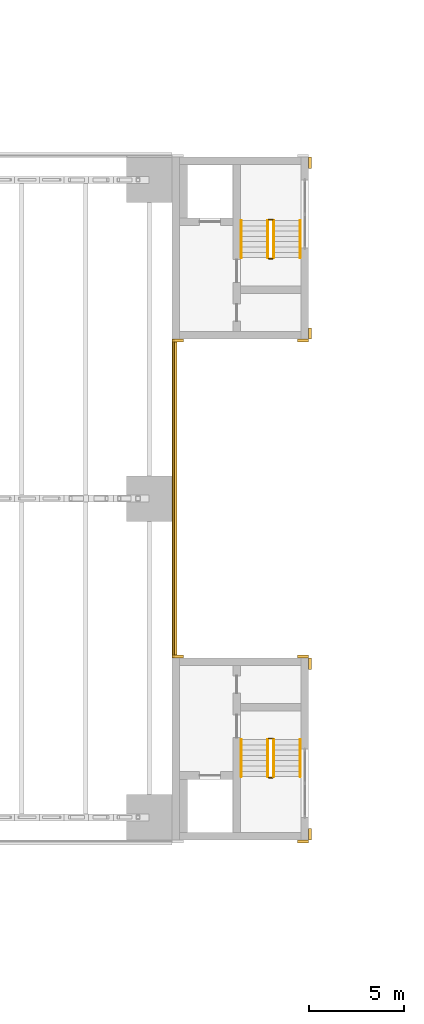
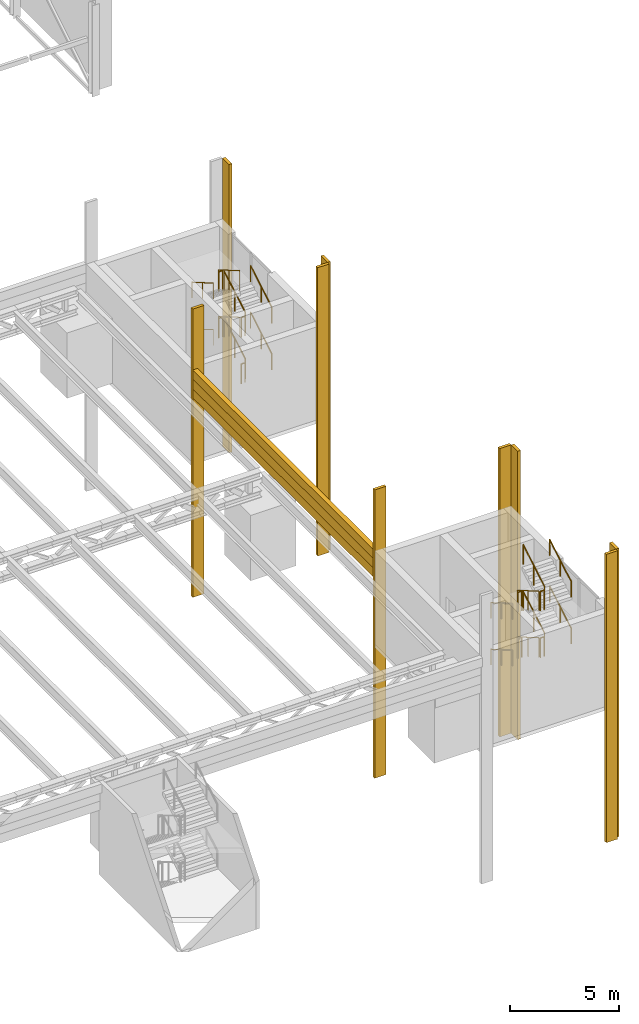
# One storey, part 90 of 93: 24 railings, 12 coverings.
"""IFC4 building model written with IfcOpenShell, lengths in metres."""

from ifc_helpers import new_model, si_unit, direction, frame, origin, origin_2d, place, context, subcontext, project, spatial, rectangle, circle, extrude, material, layer, layer_set, type_object, element, save


model = new_model("IFC4")

# Units and contexts
model_context = context("Model", 3, precision=1e-05, world=origin(), true_north=direction((0.0, 1.0)))
body_context = subcontext(model_context, "Body", "Model", "MODEL_VIEW")
ifc_project = project(units=[si_unit("LENGTHUNIT", "METRE"), si_unit("AREAUNIT", "SQUARE_METRE"), si_unit("VOLUMEUNIT", "CUBIC_METRE"), si_unit("PLANEANGLEUNIT", "RADIAN"), si_unit("MASSUNIT", "GRAM", prefix="KILO")], contexts=[model_context])

# Site, building, storey
site_placement = place(None, origin())
site = spatial("IfcSite", under=ifc_project, at=site_placement, CompositionType="ELEMENT")
building_placement = place(site_placement, origin())
building = spatial("IfcBuilding", under=site, at=building_placement, Name="Verrick Yard Athletic Hall", CompositionType="ELEMENT")
storey_placement = place(building_placement, frame((0.0, 0.0, 8.800048828125)))
storey = spatial("IfcBuildingStorey", under=building, at=storey_placement, Name="L02", CompositionType="ELEMENT", Elevation=8.800048828125)

# Coverings
ifc_material_1 = material(Name="Limestone cladding", Category="masonry")
ifc_layer_1 = layer(ifc_material_1, 0.25)
ifc_layer_set_1 = layer_set([ifc_layer_1], Name="Cornice")
covering_type_1 = type_object("IfcCoveringType", Name="Cornice", PredefinedType="MOLDING", material=ifc_layer_set_1)
covering_1_placement = place(storey_placement, frame((158.925048828125, 36.0, 4.699951171875), z_axis=(0.0, 0.0, 1.0), x_axis=(1.0, 0.0, 0.0)))
element("IfcCovering", 1, at=covering_1_placement, inside=storey, type_object=covering_type_1, Name="Cornice E", PredefinedType="MOLDING", context=body_context, shape_type="SweptSolid", body=[
    extrude(rectangle(XDim=0.25, YDim=16.800048828125, at=origin_2d()), origin(), (0.0, 0.0, 1.0), 0.5),
])
ifc_layer_2 = layer(ifc_material_1, 0.10009765625)
ifc_layer_set_2 = layer_set([ifc_layer_2], Name="Entablature band")
covering_type_2 = type_object("IfcCoveringType", Name="Entablature band", PredefinedType="CLADDING", material=ifc_layer_set_2)
covering_2_placement = place(storey_placement, frame((158.85009765625, 36.0, 3.64990234375), z_axis=(0.0, 0.0, 1.0), x_axis=(1.0, 0.0, 0.0)))
element("IfcCovering", 2, at=covering_2_placement, inside=storey, type_object=covering_type_2, Name="Architrave E", PredefinedType="CLADDING", context=body_context, shape_type="SweptSolid", body=[
    extrude(rectangle(XDim=0.10009765625, YDim=16.800048828125, at=origin_2d()), origin(), (0.0, 0.0, 1.0), 0.5),
])
covering_3_placement = place(storey_placement, frame((158.85009765625, 36.0, 4.14990234375), z_axis=(0.0, 0.0, 1.0), x_axis=(1.0, 0.0, 0.0)))
element("IfcCovering", 3, at=covering_3_placement, inside=storey, type_object=covering_type_2, Name="Frieze E", PredefinedType="CLADDING", context=body_context, shape_type="SweptSolid", body=[
    extrude(rectangle(XDim=0.10009765625, YDim=16.800048828125, at=origin_2d()), origin(), (0.0, 0.0, 1.0), 0.550048828125),
])

# Railings
ifc_material_2 = material(Name="Stainless steel", Category="steel")
railing_type_1 = type_object("IfcRailingType", Name="Stair and core guard 1100", PredefinedType="GUARDRAIL", material=ifc_material_2)
railing_1_placement = place(storey_placement, frame((163.85009765625, 23.300048828125, 0.162353515625)))
element("IfcRailing", 4, at=railing_1_placement, inside=storey, type_object=railing_type_1, Name="L02 Plinth south-east stair guard 1", PredefinedType="GUARDRAIL", context=body_context, shape_type="SweptSolid", body=[
    extrude(circle(Radius=0.02392578125, at=origin_2d()), frame((0.0, 0.0, 1.076171875), z_axis=(0.0, -0.864855337533, 0.502021160053), x_axis=(1.0, 0.0, 0.0)), (0.0, 0.0, 1.0), 2.26611328125),
    extrude(circle(Radius=0.02099609375, at=origin_2d()), origin(), (0.0, 0.0, 1.0), 1.052001953125),
    extrude(circle(Radius=0.02099609375, at=origin_2d()), frame((0.0, -0.97998046875, 0.56884765625)), (0.0, 0.0, 1.0), 1.052001953125),
    extrude(circle(Radius=0.02099609375, at=origin_2d()), frame((0.0, -1.9599609375, 1.1376953125)), (0.0, 0.0, 1.0), 1.052001953125),
])
railing_2_placement = place(storey_placement, frame((163.89990234375, 21.2900390625, 1.300048828125)))
element("IfcRailing", 5, at=railing_2_placement, inside=storey, type_object=railing_type_1, Name="L02 Plinth south-east stair guard 2", PredefinedType="GUARDRAIL", context=body_context, shape_type="SweptSolid", body=[
    extrude(circle(Radius=0.02392578125, at=origin_2d()), frame((0.0, 0.0, 1.076171875), z_axis=(1.0, 0.0, 0.0), x_axis=(0.0, 1.0, 0.0)), (0.0, 0.0, 1.0), 0.2001953125),
    extrude(circle(Radius=0.02099609375, at=origin_2d()), origin(), (0.0, 0.0, 1.0), 1.052001953125),
    extrude(circle(Radius=0.02099609375, at=origin_2d()), frame((0.2001953125, 0.0, 0.0)), (0.0, 0.0, 1.0), 1.052001953125),
])
railing_3_placement = place(storey_placement, frame((164.14990234375, 21.340087890625, 1.46240234375)))
element("IfcRailing", 6, at=railing_3_placement, inside=storey, type_object=railing_type_1, Name="L02 Plinth south-east stair guard 3", PredefinedType="GUARDRAIL", context=body_context, shape_type="SweptSolid", body=[
    extrude(circle(Radius=0.02392578125, at=origin_2d()), frame((0.0, 0.0, 1.076171875), z_axis=(0.0, 0.864902109995, 0.501940574298), x_axis=(-1.0, 0.0, 0.0)), (0.0, 0.0, 1.0), 2.26611328125),
    extrude(circle(Radius=0.02099609375, at=origin_2d()), origin(), (0.0, 0.0, 1.0), 1.052001953125),
    extrude(circle(Radius=0.02099609375, at=origin_2d()), frame((0.0, 0.97998046875, 0.56884765625)), (0.0, 0.0, 1.0), 1.052001953125),
    extrude(circle(Radius=0.02099609375, at=origin_2d()), frame((0.0, 1.9599609375, 1.137451171875)), (0.0, 0.0, 1.0), 1.052001953125),
])
railing_4_placement = place(storey_placement, frame((163.89990234375, 23.35009765625, 2.599853515625)))
element("IfcRailing", 7, at=railing_4_placement, inside=storey, type_object=railing_type_1, Name="L02 Plinth south-east stair guard 4", PredefinedType="GUARDRAIL", context=body_context, shape_type="SweptSolid", body=[
    extrude(circle(Radius=0.02392578125, at=origin_2d()), frame((0.0, 0.0, 1.076171875), z_axis=(1.0, 0.0, 0.0), x_axis=(0.0, 1.0, 0.0)), (0.0, 0.0, 1.0), 0.2001953125),
    extrude(circle(Radius=0.02099609375, at=origin_2d()), origin(), (0.0, 0.0, 1.0), 1.052001953125),
    extrude(circle(Radius=0.02099609375, at=origin_2d()), frame((0.2001953125, 0.0, 0.0)), (0.0, 0.0, 1.0), 1.052001953125),
])
railing_5_placement = place(storey_placement, frame((163.85009765625, 23.300048828125, 2.762451171875)))
element("IfcRailing", 8, at=railing_5_placement, inside=storey, type_object=railing_type_1, Name="L02 Plinth south-east stair guard 5", PredefinedType="GUARDRAIL", context=body_context, shape_type="SweptSolid", body=[
    extrude(circle(Radius=0.02392578125, at=origin_2d()), frame((0.0, 0.0, 1.076171875), z_axis=(0.0, -0.864902109995, 0.501940574298), x_axis=(1.0, 0.0, 0.0)), (0.0, 0.0, 1.0), 2.26611328125),
    extrude(circle(Radius=0.02099609375, at=origin_2d()), origin(), (0.0, 0.0, 1.0), 1.052001953125),
    extrude(circle(Radius=0.02099609375, at=origin_2d()), frame((0.0, -0.97998046875, 0.56884765625)), (0.0, 0.0, 1.0), 1.052001953125),
    extrude(circle(Radius=0.02099609375, at=origin_2d()), frame((0.0, -1.9599609375, 1.137451171875)), (0.0, 0.0, 1.0), 1.052001953125),
])
railing_6_placement = place(storey_placement, frame((163.89990234375, 21.2900390625, 3.89990234375)))
element("IfcRailing", 9, at=railing_6_placement, inside=storey, type_object=railing_type_1, Name="L02 Plinth south-east stair guard 6", PredefinedType="GUARDRAIL", context=body_context, shape_type="SweptSolid", body=[
    extrude(circle(Radius=0.02392578125, at=origin_2d()), frame((0.0, 0.0, 1.076171875), z_axis=(1.0, 0.0, 0.0), x_axis=(0.0, 1.0, 0.0)), (0.0, 0.0, 1.0), 0.2001953125),
    extrude(circle(Radius=0.02099609375, at=origin_2d()), origin(), (0.0, 0.0, 1.0), 1.052001953125),
    extrude(circle(Radius=0.02099609375, at=origin_2d()), frame((0.2001953125, 0.0, 0.0)), (0.0, 0.0, 1.0), 1.052001953125),
])
railing_7_placement = place(storey_placement, frame((164.14990234375, 21.340087890625, 4.0625)))
element("IfcRailing", 10, at=railing_7_placement, inside=storey, type_object=railing_type_1, Name="L02 Plinth south-east stair guard 7", PredefinedType="GUARDRAIL", context=body_context, shape_type="SweptSolid", body=[
    extrude(circle(Radius=0.02392578125, at=origin_2d()), frame((0.0, 0.0, 1.076171875), z_axis=(0.0, 0.864902109995, 0.501940574298), x_axis=(-1.0, 0.0, 0.0)), (0.0, 0.0, 1.0), 2.26611328125),
    extrude(circle(Radius=0.02099609375, at=origin_2d()), origin(), (0.0, 0.0, 1.0), 1.052001953125),
    extrude(circle(Radius=0.02099609375, at=origin_2d()), frame((0.0, 0.97998046875, 0.56884765625)), (0.0, 0.0, 1.0), 1.052001953125),
    extrude(circle(Radius=0.02099609375, at=origin_2d()), frame((0.0, 1.9599609375, 1.137451171875)), (0.0, 0.0, 1.0), 1.052001953125),
])
railing_8_placement = place(storey_placement, frame((163.89990234375, 23.35009765625, 0.0)))
element("IfcRailing", 11, at=railing_8_placement, inside=storey, type_object=railing_type_1, Name="L02 Plinth south-east stair guard 8", PredefinedType="GUARDRAIL", context=body_context, shape_type="SweptSolid", body=[
    extrude(circle(Radius=0.02392578125, at=origin_2d()), frame((0.0, 0.0, 1.076171875), z_axis=(1.0, 0.0, 0.0), x_axis=(0.0, 1.0, 0.0)), (0.0, 0.0, 1.0), 0.2001953125),
    extrude(circle(Radius=0.02099609375, at=origin_2d()), origin(), (0.0, 0.0, 1.0), 1.052001953125),
    extrude(circle(Radius=0.02099609375, at=origin_2d()), frame((0.2001953125, 0.0, 0.0)), (0.0, 0.0, 1.0), 1.052001953125),
])
railing_9_placement = place(storey_placement, frame((164.14990234375, 48.699951171875, 0.162353515625)))
element("IfcRailing", 12, at=railing_9_placement, inside=storey, type_object=railing_type_1, Name="L02 Plinth north-east stair guard 1", PredefinedType="GUARDRAIL", context=body_context, shape_type="SweptSolid", body=[
    extrude(circle(Radius=0.02392578125, at=origin_2d()), frame((0.0, 0.0, 1.076171875), z_axis=(0.0, 0.864855337533, 0.502021160053), x_axis=(-1.0, 0.0, 0.0)), (0.0, 0.0, 1.0), 2.26611328125),
    extrude(circle(Radius=0.02099609375, at=origin_2d()), origin(), (0.0, 0.0, 1.0), 1.052001953125),
    extrude(circle(Radius=0.02099609375, at=origin_2d()), frame((0.0, 0.97998046875, 0.56884765625)), (0.0, 0.0, 1.0), 1.052001953125),
    extrude(circle(Radius=0.02099609375, at=origin_2d()), frame((0.0, 1.9599609375, 1.1376953125)), (0.0, 0.0, 1.0), 1.052001953125),
])
railing_10_placement = place(storey_placement, frame((164.10009765625, 50.7099609375, 1.300048828125)))
element("IfcRailing", 13, at=railing_10_placement, inside=storey, type_object=railing_type_1, Name="L02 Plinth north-east stair guard 2", PredefinedType="GUARDRAIL", context=body_context, shape_type="SweptSolid", body=[
    extrude(circle(Radius=0.02392578125, at=origin_2d()), frame((0.0, 0.0, 1.076171875), z_axis=(-1.0, 0.0, 0.0), x_axis=(0.0, -1.0, 0.0)), (0.0, 0.0, 1.0), 0.2001953125),
    extrude(circle(Radius=0.02099609375, at=origin_2d()), origin(), (0.0, 0.0, 1.0), 1.052001953125),
    extrude(circle(Radius=0.02099609375, at=origin_2d()), frame((-0.2001953125, 0.0, 0.0)), (0.0, 0.0, 1.0), 1.052001953125),
])
railing_11_placement = place(storey_placement, frame((163.85009765625, 50.659912109375, 1.46240234375)))
element("IfcRailing", 14, at=railing_11_placement, inside=storey, type_object=railing_type_1, Name="L02 Plinth north-east stair guard 3", PredefinedType="GUARDRAIL", context=body_context, shape_type="SweptSolid", body=[
    extrude(circle(Radius=0.02392578125, at=origin_2d()), frame((0.0, 0.0, 1.076171875), z_axis=(0.0, -0.864902109995, 0.501940574298), x_axis=(1.0, 0.0, 0.0)), (0.0, 0.0, 1.0), 2.26611328125),
    extrude(circle(Radius=0.02099609375, at=origin_2d()), origin(), (0.0, 0.0, 1.0), 1.052001953125),
    extrude(circle(Radius=0.02099609375, at=origin_2d()), frame((0.0, -0.97998046875, 0.56884765625)), (0.0, 0.0, 1.0), 1.052001953125),
    extrude(circle(Radius=0.02099609375, at=origin_2d()), frame((0.0, -1.9599609375, 1.137451171875)), (0.0, 0.0, 1.0), 1.052001953125),
])
railing_12_placement = place(storey_placement, frame((164.10009765625, 48.64990234375, 2.599853515625)))
element("IfcRailing", 15, at=railing_12_placement, inside=storey, type_object=railing_type_1, Name="L02 Plinth north-east stair guard 4", PredefinedType="GUARDRAIL", context=body_context, shape_type="SweptSolid", body=[
    extrude(circle(Radius=0.02392578125, at=origin_2d()), frame((0.0, 0.0, 1.076171875), z_axis=(-1.0, 0.0, 0.0), x_axis=(0.0, -1.0, 0.0)), (0.0, 0.0, 1.0), 0.2001953125),
    extrude(circle(Radius=0.02099609375, at=origin_2d()), origin(), (0.0, 0.0, 1.0), 1.052001953125),
    extrude(circle(Radius=0.02099609375, at=origin_2d()), frame((-0.2001953125, 0.0, 0.0)), (0.0, 0.0, 1.0), 1.052001953125),
])
railing_13_placement = place(storey_placement, frame((164.14990234375, 48.699951171875, 2.762451171875)))
element("IfcRailing", 16, at=railing_13_placement, inside=storey, type_object=railing_type_1, Name="L02 Plinth north-east stair guard 5", PredefinedType="GUARDRAIL", context=body_context, shape_type="SweptSolid", body=[
    extrude(circle(Radius=0.02392578125, at=origin_2d()), frame((0.0, 0.0, 1.076171875), z_axis=(0.0, 0.864902109995, 0.501940574298), x_axis=(-1.0, 0.0, 0.0)), (0.0, 0.0, 1.0), 2.26611328125),
    extrude(circle(Radius=0.02099609375, at=origin_2d()), origin(), (0.0, 0.0, 1.0), 1.052001953125),
    extrude(circle(Radius=0.02099609375, at=origin_2d()), frame((0.0, 0.97998046875, 0.56884765625)), (0.0, 0.0, 1.0), 1.052001953125),
    extrude(circle(Radius=0.02099609375, at=origin_2d()), frame((0.0, 1.9599609375, 1.137451171875)), (0.0, 0.0, 1.0), 1.052001953125),
])
railing_14_placement = place(storey_placement, frame((164.10009765625, 50.7099609375, 3.89990234375)))
element("IfcRailing", 17, at=railing_14_placement, inside=storey, type_object=railing_type_1, Name="L02 Plinth north-east stair guard 6", PredefinedType="GUARDRAIL", context=body_context, shape_type="SweptSolid", body=[
    extrude(circle(Radius=0.02392578125, at=origin_2d()), frame((0.0, 0.0, 1.076171875), z_axis=(-1.0, 0.0, 0.0), x_axis=(0.0, -1.0, 0.0)), (0.0, 0.0, 1.0), 0.2001953125),
    extrude(circle(Radius=0.02099609375, at=origin_2d()), origin(), (0.0, 0.0, 1.0), 1.052001953125),
    extrude(circle(Radius=0.02099609375, at=origin_2d()), frame((-0.2001953125, 0.0, 0.0)), (0.0, 0.0, 1.0), 1.052001953125),
])
railing_15_placement = place(storey_placement, frame((163.85009765625, 50.659912109375, 4.0625)))
element("IfcRailing", 18, at=railing_15_placement, inside=storey, type_object=railing_type_1, Name="L02 Plinth north-east stair guard 7", PredefinedType="GUARDRAIL", context=body_context, shape_type="SweptSolid", body=[
    extrude(circle(Radius=0.02392578125, at=origin_2d()), frame((0.0, 0.0, 1.076171875), z_axis=(0.0, -0.864902109995, 0.501940574298), x_axis=(1.0, 0.0, 0.0)), (0.0, 0.0, 1.0), 2.26611328125),
    extrude(circle(Radius=0.02099609375, at=origin_2d()), origin(), (0.0, 0.0, 1.0), 1.052001953125),
    extrude(circle(Radius=0.02099609375, at=origin_2d()), frame((0.0, -0.97998046875, 0.56884765625)), (0.0, 0.0, 1.0), 1.052001953125),
    extrude(circle(Radius=0.02099609375, at=origin_2d()), frame((0.0, -1.9599609375, 1.137451171875)), (0.0, 0.0, 1.0), 1.052001953125),
])
railing_16_placement = place(storey_placement, frame((164.10009765625, 48.64990234375, 0.0)))
element("IfcRailing", 19, at=railing_16_placement, inside=storey, type_object=railing_type_1, Name="L02 Plinth north-east stair guard 8", PredefinedType="GUARDRAIL", context=body_context, shape_type="SweptSolid", body=[
    extrude(circle(Radius=0.02392578125, at=origin_2d()), frame((0.0, 0.0, 1.076171875), z_axis=(-1.0, 0.0, 0.0), x_axis=(0.0, -1.0, 0.0)), (0.0, 0.0, 1.0), 0.2001953125),
    extrude(circle(Radius=0.02099609375, at=origin_2d()), origin(), (0.0, 0.0, 1.0), 1.052001953125),
    extrude(circle(Radius=0.02099609375, at=origin_2d()), frame((-0.2001953125, 0.0, 0.0)), (0.0, 0.0, 1.0), 1.052001953125),
])
railing_type_2 = type_object("IfcRailingType", Name="Stair handrail 900", PredefinedType="HANDRAIL", material=ifc_material_2)
railing_17_placement = place(storey_placement, frame((162.449951171875, 23.300048828125, 0.162353515625)))
element("IfcRailing", 20, at=railing_17_placement, inside=storey, type_object=railing_type_2, Name="L02 Plinth south-east stair handrail 1", PredefinedType="HANDRAIL", context=body_context, shape_type="SweptSolid", body=[
    extrude(circle(Radius=0.02392578125, at=origin_2d()), frame((0.0, 0.0, 0.8759765625), z_axis=(0.0, -0.864855337533, 0.502021160053), x_axis=(1.0, 0.0, 0.0)), (0.0, 0.0, 1.0), 2.26611328125),
    extrude(circle(Radius=0.02099609375, at=origin_2d()), origin(), (0.0, 0.0, 1.0), 0.851806640625),
    extrude(circle(Radius=0.02099609375, at=origin_2d()), frame((0.0, -0.97998046875, 0.56884765625)), (0.0, 0.0, 1.0), 0.851806640625),
    extrude(circle(Radius=0.02099609375, at=origin_2d()), frame((0.0, -1.9599609375, 1.1376953125)), (0.0, 0.0, 1.0), 0.851806640625),
])
railing_18_placement = place(storey_placement, frame((165.550048828125, 21.340087890625, 1.46240234375)))
element("IfcRailing", 21, at=railing_18_placement, inside=storey, type_object=railing_type_2, Name="L02 Plinth south-east stair handrail 2", PredefinedType="HANDRAIL", context=body_context, shape_type="SweptSolid", body=[
    extrude(circle(Radius=0.02392578125, at=origin_2d()), frame((0.0, 0.0, 0.8759765625), z_axis=(0.0, 0.864902109995, 0.501940574298), x_axis=(-1.0, 0.0, 0.0)), (0.0, 0.0, 1.0), 2.26611328125),
    extrude(circle(Radius=0.02099609375, at=origin_2d()), origin(), (0.0, 0.0, 1.0), 0.851806640625),
    extrude(circle(Radius=0.02099609375, at=origin_2d()), frame((0.0, 0.97998046875, 0.56884765625)), (0.0, 0.0, 1.0), 0.851806640625),
    extrude(circle(Radius=0.02099609375, at=origin_2d()), frame((0.0, 1.9599609375, 1.137451171875)), (0.0, 0.0, 1.0), 0.851806640625),
])
railing_19_placement = place(storey_placement, frame((162.449951171875, 23.300048828125, 2.762451171875)))
element("IfcRailing", 22, at=railing_19_placement, inside=storey, type_object=railing_type_2, Name="L02 Plinth south-east stair handrail 3", PredefinedType="HANDRAIL", context=body_context, shape_type="SweptSolid", body=[
    extrude(circle(Radius=0.02392578125, at=origin_2d()), frame((0.0, 0.0, 0.8759765625), z_axis=(0.0, -0.864902109995, 0.501940574298), x_axis=(1.0, 0.0, 0.0)), (0.0, 0.0, 1.0), 2.26611328125),
    extrude(circle(Radius=0.02099609375, at=origin_2d()), origin(), (0.0, 0.0, 1.0), 0.851806640625),
    extrude(circle(Radius=0.02099609375, at=origin_2d()), frame((0.0, -0.97998046875, 0.56884765625)), (0.0, 0.0, 1.0), 0.851806640625),
    extrude(circle(Radius=0.02099609375, at=origin_2d()), frame((0.0, -1.9599609375, 1.137451171875)), (0.0, 0.0, 1.0), 0.851806640625),
])
railing_20_placement = place(storey_placement, frame((165.550048828125, 21.340087890625, 4.0625)))
element("IfcRailing", 23, at=railing_20_placement, inside=storey, type_object=railing_type_2, Name="L02 Plinth south-east stair handrail 4", PredefinedType="HANDRAIL", context=body_context, shape_type="SweptSolid", body=[
    extrude(circle(Radius=0.02392578125, at=origin_2d()), frame((0.0, 0.0, 0.8759765625), z_axis=(0.0, 0.864902109995, 0.501940574298), x_axis=(-1.0, 0.0, 0.0)), (0.0, 0.0, 1.0), 2.26611328125),
    extrude(circle(Radius=0.02099609375, at=origin_2d()), origin(), (0.0, 0.0, 1.0), 0.851806640625),
    extrude(circle(Radius=0.02099609375, at=origin_2d()), frame((0.0, 0.97998046875, 0.56884765625)), (0.0, 0.0, 1.0), 0.851806640625),
    extrude(circle(Radius=0.02099609375, at=origin_2d()), frame((0.0, 1.9599609375, 1.137451171875)), (0.0, 0.0, 1.0), 0.851806640625),
])
railing_21_placement = place(storey_placement, frame((165.550048828125, 48.699951171875, 0.162353515625)))
element("IfcRailing", 24, at=railing_21_placement, inside=storey, type_object=railing_type_2, Name="L02 Plinth north-east stair handrail 1", PredefinedType="HANDRAIL", context=body_context, shape_type="SweptSolid", body=[
    extrude(circle(Radius=0.02392578125, at=origin_2d()), frame((0.0, 0.0, 0.8759765625), z_axis=(0.0, 0.864855337533, 0.502021160053), x_axis=(-1.0, 0.0, 0.0)), (0.0, 0.0, 1.0), 2.26611328125),
    extrude(circle(Radius=0.02099609375, at=origin_2d()), origin(), (0.0, 0.0, 1.0), 0.851806640625),
    extrude(circle(Radius=0.02099609375, at=origin_2d()), frame((0.0, 0.97998046875, 0.56884765625)), (0.0, 0.0, 1.0), 0.851806640625),
    extrude(circle(Radius=0.02099609375, at=origin_2d()), frame((0.0, 1.9599609375, 1.1376953125)), (0.0, 0.0, 1.0), 0.851806640625),
])
railing_22_placement = place(storey_placement, frame((162.449951171875, 50.659912109375, 1.46240234375)))
element("IfcRailing", 25, at=railing_22_placement, inside=storey, type_object=railing_type_2, Name="L02 Plinth north-east stair handrail 2", PredefinedType="HANDRAIL", context=body_context, shape_type="SweptSolid", body=[
    extrude(circle(Radius=0.02392578125, at=origin_2d()), frame((0.0, 0.0, 0.8759765625), z_axis=(0.0, -0.864902109995, 0.501940574298), x_axis=(1.0, 0.0, 0.0)), (0.0, 0.0, 1.0), 2.26611328125),
    extrude(circle(Radius=0.02099609375, at=origin_2d()), origin(), (0.0, 0.0, 1.0), 0.851806640625),
    extrude(circle(Radius=0.02099609375, at=origin_2d()), frame((0.0, -0.97998046875, 0.56884765625)), (0.0, 0.0, 1.0), 0.851806640625),
    extrude(circle(Radius=0.02099609375, at=origin_2d()), frame((0.0, -1.9599609375, 1.137451171875)), (0.0, 0.0, 1.0), 0.851806640625),
])
railing_23_placement = place(storey_placement, frame((165.550048828125, 48.699951171875, 2.762451171875)))
element("IfcRailing", 26, at=railing_23_placement, inside=storey, type_object=railing_type_2, Name="L02 Plinth north-east stair handrail 3", PredefinedType="HANDRAIL", context=body_context, shape_type="SweptSolid", body=[
    extrude(circle(Radius=0.02392578125, at=origin_2d()), frame((0.0, 0.0, 0.8759765625), z_axis=(0.0, 0.864902109995, 0.501940574298), x_axis=(-1.0, 0.0, 0.0)), (0.0, 0.0, 1.0), 2.26611328125),
    extrude(circle(Radius=0.02099609375, at=origin_2d()), origin(), (0.0, 0.0, 1.0), 0.851806640625),
    extrude(circle(Radius=0.02099609375, at=origin_2d()), frame((0.0, 0.97998046875, 0.56884765625)), (0.0, 0.0, 1.0), 0.851806640625),
    extrude(circle(Radius=0.02099609375, at=origin_2d()), frame((0.0, 1.9599609375, 1.137451171875)), (0.0, 0.0, 1.0), 0.851806640625),
])
railing_24_placement = place(storey_placement, frame((162.449951171875, 50.659912109375, 4.0625)))
element("IfcRailing", 27, at=railing_24_placement, inside=storey, type_object=railing_type_2, Name="L02 Plinth north-east stair handrail 4", PredefinedType="HANDRAIL", context=body_context, shape_type="SweptSolid", body=[
    extrude(circle(Radius=0.02392578125, at=origin_2d()), frame((0.0, 0.0, 0.8759765625), z_axis=(0.0, -0.864902109995, 0.501940574298), x_axis=(1.0, 0.0, 0.0)), (0.0, 0.0, 1.0), 2.26611328125),
    extrude(circle(Radius=0.02099609375, at=origin_2d()), origin(), (0.0, 0.0, 1.0), 0.851806640625),
    extrude(circle(Radius=0.02099609375, at=origin_2d()), frame((0.0, -0.97998046875, 0.56884765625)), (0.0, 0.0, 1.0), 0.851806640625),
    extrude(circle(Radius=0.02099609375, at=origin_2d()), frame((0.0, -1.9599609375, 1.137451171875)), (0.0, 0.0, 1.0), 0.851806640625),
])

# Coverings
ifc_material_3 = material(Name="Tyndall-stone-look precast cladding", Category="masonry")
ifc_layer_3 = layer(ifc_material_3, 0.125)
ifc_layer_set_3 = layer_set([ifc_layer_3], Name="Stone cladding")
covering_type_3 = type_object("IfcCoveringType", Name="Stone cladding", PredefinedType="CLADDING", material=ifc_layer_set_3)
for number, where, z_axis, x_axis, name in (
    (28, (165.699951171875, 17.925048828125, -7.5), (0.0, 0.0, 1.0), (1.0, 0.0, 0.0), "Block pilaster"),
    (29, (159.10009765625, 27.675048828125, -7.5), (0.0, 0.0, 1.0), (1.0, 0.0, 0.0), "Block pilaster"),
    (30, (165.699951171875, 27.675048828125, -7.5), (0.0, 0.0, 1.0), (1.0, 0.0, 0.0), "Block pilaster"),
):
    element("IfcCovering", number, at=place(storey_placement, frame(where, z_axis=z_axis, x_axis=x_axis)), inside=storey, type_object=covering_type_3, Name=name, PredefinedType="CLADDING", context=body_context, shape_type="SweptSolid", body=[
        extrude(rectangle(XDim=0.60009765625, YDim=0.14990234375, at=origin_2d()), origin(), (0.0, 0.0, 1.0), 16.10009765625),
    ])
for number, where, z_axis, x_axis, name in (
    (31, (166.074951171875, 18.300048828125, -7.5), (0.0, 0.0, 1.0), (1.0, 0.0, 0.0), "Block pilaster"),
    (32, (166.074951171875, 27.300048828125, -7.5), (0.0, 0.0, 1.0), (1.0, 0.0, 0.0), "Block pilaster"),
):
    element("IfcCovering", number, at=place(storey_placement, frame(where, z_axis=z_axis, x_axis=x_axis)), inside=storey, type_object=covering_type_3, Name=name, PredefinedType="CLADDING", context=body_context, shape_type="SweptSolid", body=[
        extrude(rectangle(XDim=0.14990234375, YDim=0.60009765625, at=origin_2d()), origin(), (0.0, 0.0, 1.0), 16.10009765625),
    ])
for number, where, z_axis, x_axis, name in (
    (33, (159.10009765625, 44.324951171875, -7.5), (0.0, 0.0, 1.0), (1.0, 0.0, 0.0), "Block pilaster"),
    (34, (165.699951171875, 44.324951171875, -7.5), (0.0, 0.0, 1.0), (1.0, 0.0, 0.0), "Block pilaster"),
):
    element("IfcCovering", number, at=place(storey_placement, frame(where, z_axis=z_axis, x_axis=x_axis)), inside=storey, type_object=covering_type_3, Name=name, PredefinedType="CLADDING", context=body_context, shape_type="SweptSolid", body=[
        extrude(rectangle(XDim=0.60009765625, YDim=0.14990234375, at=origin_2d()), origin(), (0.0, 0.0, 1.0), 16.10009765625),
    ])
for number, where, z_axis, x_axis, name in (
    (35, (166.074951171875, 44.699951171875, -7.5), (0.0, 0.0, 1.0), (1.0, 0.0, 0.0), "Block pilaster"),
    (36, (166.074951171875, 53.699951171875, -7.5), (0.0, 0.0, 1.0), (1.0, 0.0, 0.0), "Block pilaster"),
):
    element("IfcCovering", number, at=place(storey_placement, frame(where, z_axis=z_axis, x_axis=x_axis)), inside=storey, type_object=covering_type_3, Name=name, PredefinedType="CLADDING", context=body_context, shape_type="SweptSolid", body=[
        extrude(rectangle(XDim=0.14990234375, YDim=0.60009765625, at=origin_2d()), origin(), (0.0, 0.0, 1.0), 16.10009765625),
    ])

save(model, "model.ifc")
